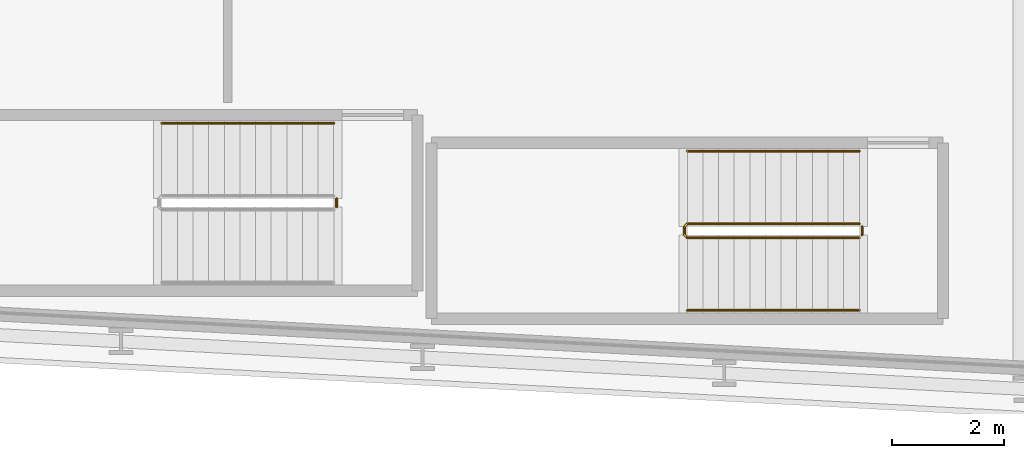
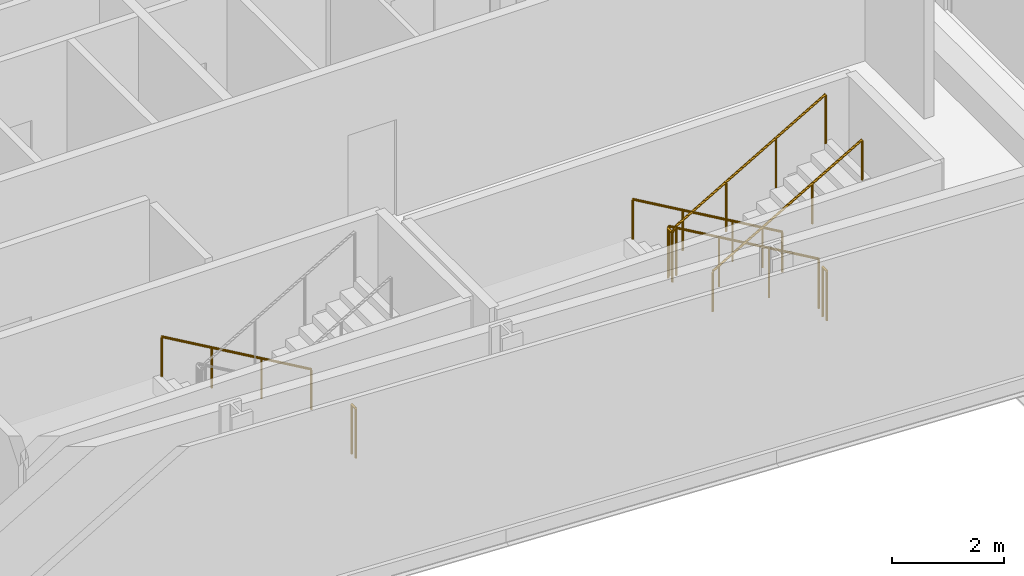
# One storey, part 25 of 28: 6 railings.
"""IFC4 building model written with IfcOpenShell, lengths in metres."""

from ifc_helpers import new_model, si_unit, direction, frame, origin, origin_2d, place, context, subcontext, project, spatial, circle, extrude, material, type_object, element, save


model = new_model("IFC4")

# Units and contexts
model_context = context("Model", 3, precision=1e-05, world=origin(), true_north=direction((0.0, 1.0)))
body_context = subcontext(model_context, "Body", "Model", "MODEL_VIEW")
ifc_project = project(units=[si_unit("LENGTHUNIT", "METRE"), si_unit("AREAUNIT", "SQUARE_METRE"), si_unit("VOLUMEUNIT", "CUBIC_METRE"), si_unit("PLANEANGLEUNIT", "RADIAN"), si_unit("MASSUNIT", "GRAM", prefix="KILO")], contexts=[model_context])

# Site, building, storey
site_placement = place(None, origin())
site = spatial("IfcSite", under=ifc_project, at=site_placement, CompositionType="ELEMENT")
building_placement = place(site_placement, origin())
building = spatial("IfcBuilding", under=site, at=building_placement, Name="Kheshtan School and Residences Tower", CompositionType="ELEMENT")
storey_placement = place(building_placement, frame((0.0, 0.0, 42.199951171875)))
storey = spatial("IfcBuildingStorey", under=building, at=storey_placement, Name="L09", CompositionType="ELEMENT", Elevation=42.199951171875)

# Railings
ifc_material_1 = material(Name="Stainless steel balustrade", Category="steel")
railing_type_1 = type_object("IfcRailingType", Name="Stair guard 1100", PredefinedType="GUARDRAIL", material=ifc_material_1)
railing_1_placement = place(storey_placement, frame((87.820068359375, 23.949951171875, 0.16259765625)))
element("IfcRailing", 1, at=railing_1_placement, inside=storey, type_object=railing_type_1, Name="L09 ST4 stair guard 1", PredefinedType="GUARDRAIL", context=body_context, shape_type="SweptSolid", body=[
    extrude(circle(Radius=0.02392578125, at=origin_2d()), frame((0.0, 0.0, 1.076171875), z_axis=(-0.864920483161, 0.0, 0.501908913857), x_axis=(0.0, -1.0, 0.0)), (0.0, 0.0, 1.0), 3.56103515625),
    extrude(circle(Radius=0.02392578125, at=origin_2d()), frame((-3.080078125, 0.0, 2.86328125), z_axis=(-0.707106781187, -0.707106781187, 0.0), x_axis=(0.707106781187, -0.707106781187, 0.0)), (0.0, 0.0, 1.0), 0.07080078125),
    extrude(circle(Radius=0.02392578125, at=origin_2d()), frame((-3.130126953125, -0.050048828125, 2.86328125), z_axis=(0.0, -1.0, 0.0), x_axis=(1.0, 0.0, 0.0)), (0.0, 0.0, 1.0), 0.14990234375),
    extrude(circle(Radius=0.02392578125, at=origin_2d()), frame((-3.130126953125, -0.199951171875, 2.86328125), z_axis=(0.282227285176, -0.282227285176, 0.916894497205), x_axis=(0.707106781187, 0.707106781187, 0.0)), (0.0, 0.0, 1.0), 0.17724609375),
    extrude(circle(Radius=0.02392578125, at=origin_2d()), frame((-3.080078125, -0.25, 3.02587890625), z_axis=(0.864890721111, 0.0, 0.501960198159), x_axis=(0.0, 1.0, 0.0)), (0.0, 0.0, 1.0), 3.561279296875),
    extrude(circle(Radius=0.02099609375, at=origin_2d()), origin(), (0.0, 0.0, 1.0), 1.052001953125),
    extrude(circle(Radius=0.02099609375, at=origin_2d()), frame((-1.026611328125, 0.0, 0.595703125)), (0.0, 0.0, 1.0), 1.052001953125),
    extrude(circle(Radius=0.02099609375, at=origin_2d()), frame((-2.053466796875, 0.0, 1.191650390625)), (0.0, 0.0, 1.0), 1.052001953125),
    extrude(circle(Radius=0.02099609375, at=origin_2d()), frame((-3.080078125, 0.0, 1.787353515625)), (0.0, 0.0, 1.0), 1.052001953125),
    extrude(circle(Radius=0.02099609375, at=origin_2d()), frame((-3.130126953125, -0.050048828125, 1.787353515625)), (0.0, 0.0, 1.0), 1.052001953125),
    extrude(circle(Radius=0.02099609375, at=origin_2d()), frame((-3.130126953125, -0.199951171875, 1.787353515625)), (0.0, 0.0, 1.0), 1.052001953125),
    extrude(circle(Radius=0.02099609375, at=origin_2d()), frame((-3.080078125, -0.25, 1.949951171875)), (0.0, 0.0, 1.0), 1.052001953125),
    extrude(circle(Radius=0.02099609375, at=origin_2d()), frame((-2.053466796875, -0.25, 2.5458984375)), (0.0, 0.0, 1.0), 1.052001953125),
    extrude(circle(Radius=0.02099609375, at=origin_2d()), frame((-1.026611328125, -0.25, 3.1416015625)), (0.0, 0.0, 1.0), 1.052001953125),
    extrude(circle(Radius=0.02099609375, at=origin_2d()), frame((0.0, -0.25, 3.737548828125)), (0.0, 0.0, 1.0), 1.052001953125),
])
for number, where, name in (
    (2, (87.8701171875, 23.89990234375, 0.0), "L09 ST4 stair guard 2"),
    (3, (78.4599609375, 24.39990234375, 0.0), "L09 ST5 stair guard 2"),
):
    element("IfcRailing", number, at=place(storey_placement, frame(where)), inside=storey, type_object=railing_type_1, Name=name, PredefinedType="GUARDRAIL", context=body_context, shape_type="SweptSolid", body=[
        extrude(circle(Radius=0.02392578125, at=origin_2d()), frame((0.0, 0.0, 1.076171875), z_axis=(0.0, -1.0, 0.0), x_axis=(1.0, 0.0, 0.0)), (0.0, 0.0, 1.0), 0.14990234375),
        extrude(circle(Radius=0.02099609375, at=origin_2d()), origin(), (0.0, 0.0, 1.0), 1.052001953125),
        extrude(circle(Radius=0.02099609375, at=origin_2d()), frame((0.0, -0.14990234375, 0.0)), (0.0, 0.0, 1.0), 1.052001953125),
    ])
ifc_material_2 = material(Name="Stainless steel handrail", Category="steel")
railing_type_2 = type_object("IfcRailingType", Name="Stair handrail 900", PredefinedType="HANDRAIL", material=ifc_material_2)
railing_2_placement = place(storey_placement, frame((87.820068359375, 25.25, 0.16259765625)))
element("IfcRailing", 4, at=railing_2_placement, inside=storey, type_object=railing_type_2, Name="L09 ST4 stair handrail 1", PredefinedType="HANDRAIL", context=body_context, shape_type="SweptSolid", body=[
    extrude(circle(Radius=0.02392578125, at=origin_2d()), frame((0.0, 0.0, 0.8759765625), z_axis=(-0.864920483161, 0.0, 0.501908913857), x_axis=(0.0, -1.0, 0.0)), (0.0, 0.0, 1.0), 3.56103515625),
    extrude(circle(Radius=0.02099609375, at=origin_2d()), origin(), (0.0, 0.0, 1.0), 0.851806640625),
    extrude(circle(Radius=0.02099609375, at=origin_2d()), frame((-1.026611328125, 0.0, 0.595703125)), (0.0, 0.0, 1.0), 0.851806640625),
    extrude(circle(Radius=0.02099609375, at=origin_2d()), frame((-2.053466796875, 0.0, 1.191650390625)), (0.0, 0.0, 1.0), 0.851806640625),
    extrude(circle(Radius=0.02099609375, at=origin_2d()), frame((-3.080078125, 0.0, 1.787353515625)), (0.0, 0.0, 1.0), 0.851806640625),
])
railing_3_placement = place(storey_placement, frame((84.739990234375, 22.39990234375, 2.112548828125)))
element("IfcRailing", 5, at=railing_3_placement, inside=storey, type_object=railing_type_2, Name="L09 ST4 stair handrail 2", PredefinedType="HANDRAIL", context=body_context, shape_type="SweptSolid", body=[
    extrude(circle(Radius=0.02392578125, at=origin_2d()), frame((0.0, 0.0, 0.8759765625), z_axis=(0.864890721111, 0.0, 0.501960198159), x_axis=(0.0, 1.0, 0.0)), (0.0, 0.0, 1.0), 3.561279296875),
    extrude(circle(Radius=0.02099609375, at=origin_2d()), origin(), (0.0, 0.0, 1.0), 0.851806640625),
    extrude(circle(Radius=0.02099609375, at=origin_2d()), frame((1.026611328125, 0.0, 0.595947265625)), (0.0, 0.0, 1.0), 0.851806640625),
    extrude(circle(Radius=0.02099609375, at=origin_2d()), frame((2.053466796875, 0.0, 1.191650390625)), (0.0, 0.0, 1.0), 0.851806640625),
    extrude(circle(Radius=0.02099609375, at=origin_2d()), frame((3.080078125, 0.0, 1.78759765625)), (0.0, 0.0, 1.0), 0.851806640625),
])
railing_4_placement = place(storey_placement, frame((78.409912109375, 25.75, 0.16259765625)))
element("IfcRailing", 6, at=railing_4_placement, inside=storey, type_object=railing_type_2, Name="L09 ST5 stair handrail 1", PredefinedType="HANDRAIL", context=body_context, shape_type="SweptSolid", body=[
    extrude(circle(Radius=0.02392578125, at=origin_2d()), frame((0.0, 0.0, 0.8759765625), z_axis=(-0.864903211148, 0.0, 0.501938676878), x_axis=(0.0, -1.0, 0.0)), (0.0, 0.0, 1.0), 3.560791015625),
    extrude(circle(Radius=0.02099609375, at=origin_2d()), origin(), (0.0, 0.0, 1.0), 0.851806640625),
    extrude(circle(Radius=0.02099609375, at=origin_2d()), frame((-1.026611328125, 0.0, 0.595703125)), (0.0, 0.0, 1.0), 0.851806640625),
    extrude(circle(Radius=0.02099609375, at=origin_2d()), frame((-2.05322265625, 0.0, 1.191650390625)), (0.0, 0.0, 1.0), 0.851806640625),
    extrude(circle(Radius=0.02099609375, at=origin_2d()), frame((-3.079833984375, 0.0, 1.787353515625)), (0.0, 0.0, 1.0), 0.851806640625),
])

save(model, "model.ifc")
